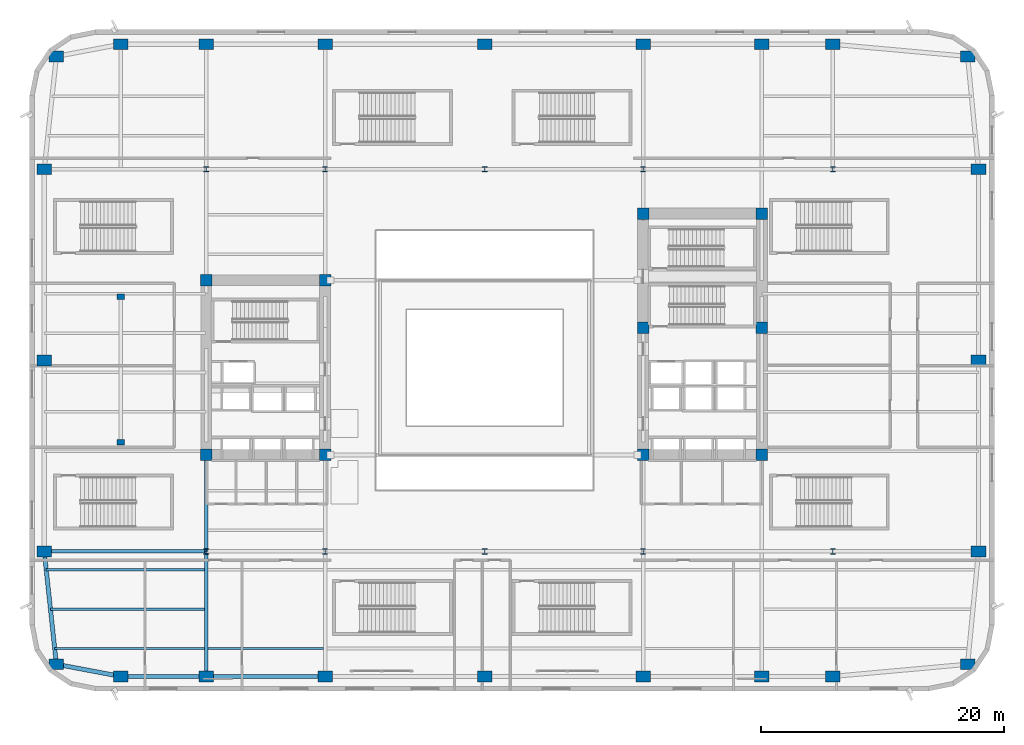
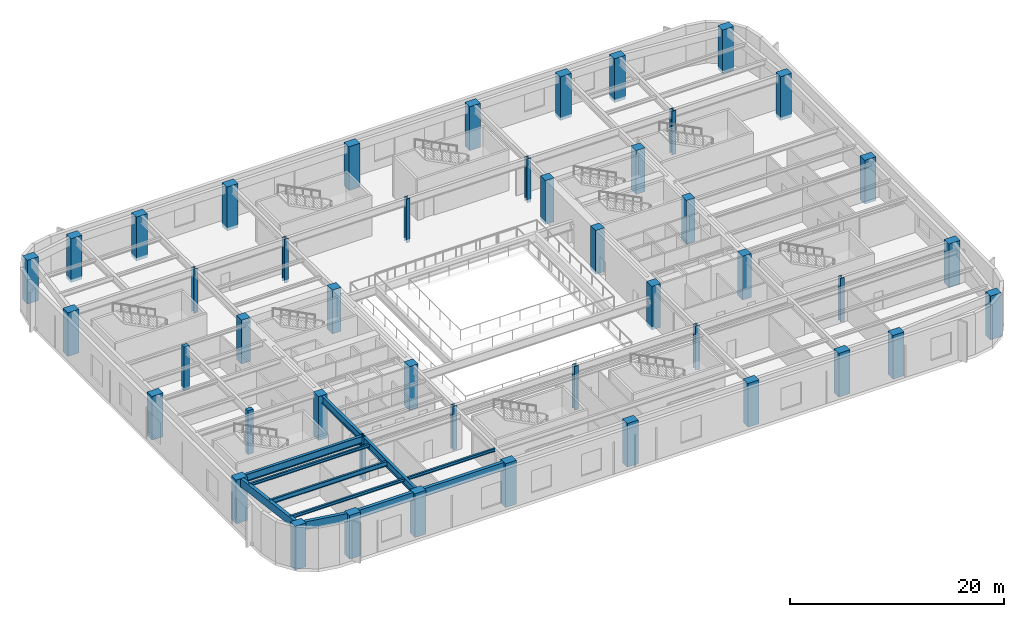
# One storey, part 1 of 22: 46 columns, 11 beams.
"""IFC4 building model written with IfcOpenShell, lengths in metres."""

from ifc_helpers import new_model, si_unit, direction, frame, origin, origin_2d, place, context, subcontext, project, spatial, rectangle, hollow_rectangle, i_section, extrude, material, material_profile, profile_set, type_object, element, save


model = new_model("IFC4")

# Units and contexts
model_context = context("Model", 3, precision=1e-05, world=origin(), true_north=direction((0.0, 1.0)))
body_context = subcontext(model_context, "Body", "Model", "MODEL_VIEW")
ifc_project = project(units=[si_unit("LENGTHUNIT", "METRE"), si_unit("AREAUNIT", "SQUARE_METRE"), si_unit("VOLUMEUNIT", "CUBIC_METRE"), si_unit("PLANEANGLEUNIT", "RADIAN"), si_unit("MASSUNIT", "GRAM", prefix="KILO")], contexts=[model_context])

# Site, building, storey
site_placement = place(None, origin())
site = spatial("IfcSite", under=ifc_project, at=site_placement, CompositionType="ELEMENT")
building_placement = place(site_placement, origin())
building = spatial("IfcBuilding", under=site, at=building_placement, Name="Kolvaren Arena Tower", CompositionType="ELEMENT")
storey_placement = place(building_placement, frame((0.0, 0.0, 13.0)))
storey = spatial("IfcBuildingStorey", under=building, at=storey_placement, Name="L02", CompositionType="ELEMENT", Elevation=13.0)

# Columns
ifc_material_1 = material(Name="Precast concrete C70/85", Category="concrete")
ifc_material_profile_1 = material_profile(ifc_material_1, rectangle(XDim=1.199951171875, YDim=0.89990234375, at=origin_2d()), Name="RC-1200x900")
ifc_profile_set_1 = profile_set([ifc_material_profile_1], Name="Precast concrete C70/85")
column_type_1 = type_object("IfcColumnType", Name="EXCOL-Z1", PredefinedType="COLUMN", material=ifc_profile_set_1)
for number, where, z_axis, x_axis, name in (
    (1, (2.199951171875, 2.199951171875, -0.35009765625), (0.0, 0.0, 1.0), (1.0, 0.0, 0.0), "Podium Perimeter Column PS-C0 (L02)"),
    (2, (7.5, 1.199951171875, -0.35009765625), (0.0, 0.0, 1.0), (1.0, 0.0, 0.0), "Podium Perimeter Column PS-01 (L02)"),
    (3, (14.550048828125, 1.199951171875, -0.35009765625), (0.0, 0.0, 1.0), (1.0, 0.0, 0.0), "Podium Perimeter Column PS-02 (L02)"),
    (4, (24.35009765625, 1.199951171875, -0.35009765625), (0.0, 0.0, 1.0), (1.0, 0.0, 0.0), "Podium Perimeter Column PS-03 (L02)"),
    (5, (37.5, 1.199951171875, -0.35009765625), (0.0, 0.0, 1.0), (1.0, 0.0, 0.0), "Podium Perimeter Column PS-04 (L02)"),
    (6, (50.550048828125, 1.199951171875, -0.35009765625), (0.0, 0.0, 1.0), (1.0, 0.0, 0.0), "Podium Perimeter Column PS-05 (L02)"),
    (7, (60.35009765625, 1.199951171875, -0.35009765625), (0.0, 0.0, 1.0), (1.0, 0.0, 0.0), "Podium Perimeter Column PS-06 (L02)"),
    (8, (66.199951171875, 1.199951171875, -0.35009765625), (0.0, 0.0, 1.0), (1.0, 0.0, 0.0), "Podium Perimeter Column PS-07 (L02)"),
    (9, (77.300048828125, 2.199951171875, -0.35009765625), (0.0, 0.0, 1.0), (1.0, 0.0, 0.0), "Podium Perimeter Column PE-C0 (L02)"),
    (10, (78.199951171875, 11.5, -0.35009765625), (0.0, 0.0, 1.0), (1.0, 0.0, 0.0), "Podium Perimeter Column PE-01 (L02)"),
    (11, (78.199951171875, 27.25, -0.35009765625), (0.0, 0.0, 1.0), (1.0, 0.0, 0.0), "Podium Perimeter Column PE-02 (L02)"),
    (12, (78.199951171875, 43.0, -0.35009765625), (0.0, 0.0, 1.0), (1.0, 0.0, 0.0), "Podium Perimeter Column PE-03 (L02)"),
    (13, (77.300048828125, 52.300048828125, -0.35009765625), (0.0, 0.0, 1.0), (1.0, 0.0, 0.0), "Podium Perimeter Column PN-C1 (L02)"),
    (14, (66.199951171875, 53.300048828125, -0.35009765625), (0.0, 0.0, 1.0), (1.0, 0.0, 0.0), "Podium Perimeter Column PN-07 (L02)"),
    (15, (60.35009765625, 53.300048828125, -0.35009765625), (0.0, 0.0, 1.0), (1.0, 0.0, 0.0), "Podium Perimeter Column PN-06 (L02)"),
    (16, (50.550048828125, 53.300048828125, -0.35009765625), (0.0, 0.0, 1.0), (1.0, 0.0, 0.0), "Podium Perimeter Column PN-05 (L02)"),
    (17, (37.5, 53.300048828125, -0.35009765625), (0.0, 0.0, 1.0), (1.0, 0.0, 0.0), "Podium Perimeter Column PN-04 (L02)"),
    (18, (24.35009765625, 53.300048828125, -0.35009765625), (0.0, 0.0, 1.0), (1.0, 0.0, 0.0), "Podium Perimeter Column PN-03 (L02)"),
    (19, (14.550048828125, 53.300048828125, -0.35009765625), (0.0, 0.0, 1.0), (1.0, 0.0, 0.0), "Podium Perimeter Column PN-02 (L02)"),
    (20, (7.5, 53.300048828125, -0.35009765625), (0.0, 0.0, 1.0), (1.0, 0.0, 0.0), "Podium Perimeter Column PN-01 (L02)"),
    (21, (2.199951171875, 52.300048828125, -0.35009765625), (0.0, 0.0, 1.0), (1.0, 0.0, 0.0), "Podium Perimeter Column PN-C0 (L02)"),
    (22, (1.199951171875, 43.0, -0.35009765625), (0.0, 0.0, 1.0), (1.0, 0.0, 0.0), "Podium Perimeter Column PW-03 (L02)"),
    (23, (1.199951171875, 27.25, -0.35009765625), (0.0, 0.0, 1.0), (1.0, 0.0, 0.0), "Podium Perimeter Column PW-02 (L02)"),
    (24, (1.199951171875, 11.5, -0.35009765625), (0.0, 0.0, 1.0), (1.0, 0.0, 0.0), "Podium Perimeter Column PW-01 (L02)"),
):
    element("IfcColumn", number, at=place(storey_placement, frame(where, z_axis=z_axis, x_axis=x_axis)), inside=storey, type_object=column_type_1, Name=name, PredefinedType="COLUMN", context=body_context, shape_type="SweptSolid", body=[
        extrude(rectangle(XDim=1.199951171875, YDim=0.89990234375, at=origin_2d()), origin(), (0.0, 0.0, 1.0), 5.0),
    ])
ifc_material_2 = material(Name="Concrete 60 MPa", Category="concrete")
ifc_material_profile_2 = material_profile(ifc_material_2, rectangle(XDim=0.949951171875, YDim=0.949951171875, at=origin_2d()), Name="RC-950x950")
ifc_profile_set_2 = profile_set([ifc_material_profile_2], Name="Concrete 60 MPa")
column_type_2 = type_object("IfcColumnType", Name="PCOL-B1", PredefinedType="COLUMN", material=ifc_profile_set_2)
for number, where, z_axis, x_axis, name in (
    (25, (14.550048828125, 19.449951171875, -0.35009765625), (0.0, 0.0, 1.0), (1.0, 0.0, 0.0), "Core Boundary Column WC-SW (L02)"),
    (26, (24.35009765625, 19.449951171875, -0.35009765625), (0.0, 0.0, 1.0), (1.0, 0.0, 0.0), "Core Boundary Column WC-SE (L02)"),
    (27, (14.550048828125, 33.85009765625, -0.35009765625), (0.0, 0.0, 1.0), (1.0, 0.0, 0.0), "Core Boundary Column WC-NW (L02)"),
    (28, (24.35009765625, 33.85009765625, -0.35009765625), (0.0, 0.0, 1.0), (1.0, 0.0, 0.0), "Core Boundary Column WC-NE (L02)"),
    (29, (50.550048828125, 19.449951171875, -0.35009765625), (0.0, 0.0, 1.0), (1.0, 0.0, 0.0), "Core Boundary Column EC-SW (L02)"),
    (30, (60.35009765625, 19.449951171875, -0.35009765625), (0.0, 0.0, 1.0), (1.0, 0.0, 0.0), "Core Boundary Column EC-SE (L02)"),
    (31, (50.550048828125, 29.949951171875, -0.35009765625), (0.0, 0.0, 1.0), (1.0, 0.0, 0.0), "Core Boundary Column EC-MW (L02)"),
    (32, (60.35009765625, 29.949951171875, -0.35009765625), (0.0, 0.0, 1.0), (1.0, 0.0, 0.0), "Core Boundary Column EC-ME (L02)"),
    (33, (50.550048828125, 39.35009765625, -0.35009765625), (0.0, 0.0, 1.0), (1.0, 0.0, 0.0), "Core Boundary Column EC-NW (L02)"),
    (34, (60.35009765625, 39.35009765625, -0.35009765625), (0.0, 0.0, 1.0), (1.0, 0.0, 0.0), "Core Boundary Column EC-NE (L02)"),
):
    element("IfcColumn", number, at=place(storey_placement, frame(where, z_axis=z_axis, x_axis=x_axis)), inside=storey, type_object=column_type_2, Name=name, PredefinedType="COLUMN", context=body_context, shape_type="SweptSolid", body=[
        extrude(rectangle(XDim=0.949951171875, YDim=0.949951171875, at=origin_2d()), origin(), (0.0, 0.0, 1.0), 5.0),
    ])
ifc_material_3 = material(Name="Precast concrete C50/60", Category="concrete")
ifc_material_profile_3 = material_profile(ifc_material_3, rectangle(XDim=0.60009765625, YDim=0.449951171875, at=origin_2d()), Name="RC-600x450")
ifc_profile_set_3 = profile_set([ifc_material_profile_3], Name="Precast concrete C50/60")
column_type_3 = type_object("IfcColumnType", Name="PIL-01", PredefinedType="PILASTER", material=ifc_profile_set_3)
for number, where, z_axis, x_axis, name in (
    (35, (7.5, 20.5, -0.35009765625), (0.0, 0.0, 1.0), (1.0, 0.0, 0.0), "Concourse Structural Pilaster 1 (L02)"),
    (36, (7.5, 32.5, -0.35009765625), (0.0, 0.0, 1.0), (1.0, 0.0, 0.0), "Concourse Structural Pilaster 2 (L02)"),
):
    element("IfcColumn", number, at=place(storey_placement, frame(where, z_axis=z_axis, x_axis=x_axis)), inside=storey, type_object=column_type_3, Name=name, PredefinedType="PILASTER", context=body_context, shape_type="SweptSolid", body=[
        extrude(rectangle(XDim=0.60009765625, YDim=0.449951171875, at=origin_2d()), origin(), (0.0, 0.0, 1.0), 5.0),
    ])
ifc_material_4 = material(Name="Steel ASTM A913 Grade 65", Category="steel")
ifc_material_profile_4 = material_profile(ifc_material_4, i_section(OverallWidth=0.424072265625, OverallDepth=0.47412109375, WebThickness=0.047607421875, FlangeThickness=0.076904296875, FilletRadius=0.02001953125, at=origin_2d()), Name="W360x634")
ifc_profile_set_4 = profile_set([ifc_material_profile_4], Name="Steel ASTM A913 Grade 65")
column_type_4 = type_object("IfcColumnType", Name="SCOL-Z1", PredefinedType="COLUMN", material=ifc_profile_set_4)
for number, where, z_axis, x_axis, name in (
    (37, (14.550048828125, 11.5, -0.35009765625), (0.0, 0.0, 1.0), (1.0, 0.0, 0.0), "Concourse Structural Column PB-S1 (L02)"),
    (38, (24.35009765625, 11.5, -0.35009765625), (0.0, 0.0, 1.0), (1.0, 0.0, 0.0), "Concourse Structural Column PB-S2 (L02)"),
    (39, (37.5, 11.5, -0.35009765625), (0.0, 0.0, 1.0), (1.0, 0.0, 0.0), "Concourse Structural Column PB-S3 (L02)"),
    (40, (50.550048828125, 11.5, -0.35009765625), (0.0, 0.0, 1.0), (1.0, 0.0, 0.0), "Concourse Structural Column PB-S4 (L02)"),
    (41, (66.199951171875, 11.5, -0.35009765625), (0.0, 0.0, 1.0), (1.0, 0.0, 0.0), "Concourse Structural Column PB-S5 (L02)"),
    (42, (14.550048828125, 43.0, -0.35009765625), (0.0, 0.0, 1.0), (1.0, 0.0, 0.0), "Concourse Structural Column PB-N1 (L02)"),
    (43, (24.35009765625, 43.0, -0.35009765625), (0.0, 0.0, 1.0), (1.0, 0.0, 0.0), "Concourse Structural Column PB-N2 (L02)"),
    (44, (37.5, 43.0, -0.35009765625), (0.0, 0.0, 1.0), (1.0, 0.0, 0.0), "Concourse Structural Column PB-N3 (L02)"),
    (45, (50.550048828125, 43.0, -0.35009765625), (0.0, 0.0, 1.0), (1.0, 0.0, 0.0), "Concourse Structural Column PB-N4 (L02)"),
    (46, (66.199951171875, 43.0, -0.35009765625), (0.0, 0.0, 1.0), (1.0, 0.0, 0.0), "Concourse Structural Column PB-N5 (L02)"),
):
    element("IfcColumn", number, at=place(storey_placement, frame(where, z_axis=z_axis, x_axis=x_axis)), inside=storey, type_object=column_type_4, Name=name, PredefinedType="COLUMN", context=body_context, shape_type="SweptSolid", body=[
        extrude(i_section(OverallWidth=0.424072265625, OverallDepth=0.47412109375, WebThickness=0.047607421875, FlangeThickness=0.076904296875, FilletRadius=0.02001953125, at=origin_2d()), origin(), (0.0, 0.0, 1.0), 5.0),
    ])

# Beams
ifc_material_5 = material(Name="Steel CSA G40.21 350W", Category="steel")
ifc_material_profile_5 = material_profile(ifc_material_5, i_section(OverallWidth=0.2119140625, OverallDepth=0.54296875, WebThickness=0.01318359375, FlangeThickness=0.0244140625, FilletRadius=0.013916015625, at=origin_2d()), Name="W530x150")
ifc_profile_set_5 = profile_set([ifc_material_profile_5], Name="Steel CSA G40.21 350W")
beam_type_1 = type_object("IfcBeamType", Name="BEAM-F1", PredefinedType="BEAM", material=ifc_profile_set_5)
beam_1_placement = place(storey_placement, frame((1.710693359375, 6.75, 4.37841796875), z_axis=(1.0, 0.0, 0.0), x_axis=(0.0, 1.0, 0.0)))
element("IfcBeam", 47, at=beam_1_placement, inside=storey, type_object=beam_type_1, Name="Composite Floor Beam (L02)", PredefinedType="BEAM", context=body_context, shape_type="SweptSolid", body=[
    extrude(i_section(OverallWidth=0.2119140625, OverallDepth=0.54296875, WebThickness=0.01318359375, FlangeThickness=0.0244140625, FilletRadius=0.013916015625, at=origin_2d()), origin(), (0.0, 0.0, 1.0), 12.693359375),
])
ifc_material_profile_6 = material_profile(ifc_material_5, i_section(OverallWidth=0.2919921875, OverallDepth=0.85498046875, WebThickness=0.02099609375, FlangeThickness=0.03564453125, FilletRadius=0.01806640625, at=origin_2d()), Name="W840x299")
ifc_profile_set_6 = profile_set([ifc_material_profile_6], Name="Steel CSA G40.21 350W")
beam_type_2 = type_object("IfcBeamType", Name="GIRD-P1", PredefinedType="BEAM", material=ifc_profile_set_6)
beam_2_placement = place(storey_placement, frame((1.199951171875, 11.5, 4.222412109375), z_axis=(1.0, 0.0, 0.0), x_axis=(0.0, 1.0, 0.0)))
element("IfcBeam", 48, at=beam_2_placement, inside=storey, type_object=beam_type_2, Name="Primary Floor Girder (L02)", PredefinedType="BEAM", context=body_context, shape_type="SweptSolid", body=[
    extrude(i_section(OverallWidth=0.2919921875, OverallDepth=0.85498046875, WebThickness=0.02099609375, FlangeThickness=0.03564453125, FilletRadius=0.01806640625, at=origin_2d()), origin(), (0.0, 0.0, 1.0), 13.35009765625),
])
beam_3_placement = place(storey_placement, frame((14.550048828125, 1.199951171875, 4.222412109375), z_axis=(0.0, 1.0, 0.0), x_axis=(-1.0, 0.0, 0.0)))
element("IfcBeam", 49, at=beam_3_placement, inside=storey, type_object=beam_type_2, Name="Primary Floor Girder (L02)", PredefinedType="BEAM", context=body_context, shape_type="SweptSolid", body=[
    extrude(i_section(OverallWidth=0.2919921875, OverallDepth=0.85498046875, WebThickness=0.02099609375, FlangeThickness=0.03564453125, FilletRadius=0.01806640625, at=origin_2d()), origin(), (0.0, 0.0, 1.0), 10.300048828125),
])
beam_4_placement = place(storey_placement, frame((14.550048828125, 11.5, 4.222412109375), z_axis=(0.0, 1.0, 0.0), x_axis=(-1.0, 0.0, 0.0)))
element("IfcBeam", 50, at=beam_4_placement, inside=storey, type_object=beam_type_2, Name="Primary Floor Girder (L02)", PredefinedType="BEAM", context=body_context, shape_type="SweptSolid", body=[
    extrude(i_section(OverallWidth=0.2919921875, OverallDepth=0.85498046875, WebThickness=0.02099609375, FlangeThickness=0.03564453125, FilletRadius=0.01806640625, at=origin_2d()), origin(), (0.0, 0.0, 1.0), 7.949951171875),
])
ifc_material_profile_7 = material_profile(ifc_material_5, i_section(OverallWidth=0.202880859375, OverallDepth=0.346923828125, WebThickness=0.0078125, FlangeThickness=0.013427734375, FilletRadius=0.010986328125, at=origin_2d()), Name="W360x64")
ifc_profile_set_7 = profile_set([ifc_material_profile_7], Name="Steel CSA G40.21 350W")
beam_type_3 = type_object("IfcBeamType", Name="JOIST-01", PredefinedType="JOIST", material=ifc_profile_set_7)
beam_5_placement = place(storey_placement, frame((2.060302734375, 3.5, 4.4765625), z_axis=(1.0, 0.0, 0.0), x_axis=(0.0, 1.0, 0.0)))
element("IfcBeam", 51, at=beam_5_placement, inside=storey, type_object=beam_type_3, Name="Composite Floor Joist (L02)", PredefinedType="JOIST", context=body_context, shape_type="SweptSolid", body=[
    extrude(i_section(OverallWidth=0.202880859375, OverallDepth=0.346923828125, WebThickness=0.0078125, FlangeThickness=0.013427734375, FilletRadius=0.010986328125, at=origin_2d()), origin(), (0.0, 0.0, 1.0), 12.34375),
])
beam_6_placement = place(storey_placement, frame((14.696044921875, 3.5, 4.4765625), z_axis=(1.0, 0.0, 0.0), x_axis=(0.0, 1.0, 0.0)))
element("IfcBeam", 52, at=beam_6_placement, inside=storey, type_object=beam_type_3, Name="Composite Floor Joist (L02)", PredefinedType="JOIST", context=body_context, shape_type="SweptSolid", body=[
    extrude(i_section(OverallWidth=0.202880859375, OverallDepth=0.346923828125, WebThickness=0.0078125, FlangeThickness=0.013427734375, FilletRadius=0.010986328125, at=origin_2d()), origin(), (0.0, 0.0, 1.0), 9.508056640625),
])
beam_7_placement = place(storey_placement, frame((1.361328125, 10.0, 4.4765625), z_axis=(1.0, 0.0, 0.0), x_axis=(0.0, 1.0, 0.0)))
element("IfcBeam", 53, at=beam_7_placement, inside=storey, type_object=beam_type_3, Name="Composite Floor Joist (L02)", PredefinedType="JOIST", context=body_context, shape_type="SweptSolid", body=[
    extrude(i_section(OverallWidth=0.202880859375, OverallDepth=0.346923828125, WebThickness=0.0078125, FlangeThickness=0.013427734375, FilletRadius=0.010986328125, at=origin_2d()), origin(), (0.0, 0.0, 1.0), 13.042724609375),
])
ifc_material_6 = material(Name="Steel CSA G40.21 350WT", Category="steel")
ifc_material_profile_8 = material_profile(ifc_material_6, hollow_rectangle(XDim=0.35009765625, YDim=0.89990234375, WallThickness=0.02001953125, at=origin_2d()), Name="HSS 900x350x20")
ifc_profile_set_8 = profile_set([ifc_material_profile_8], Name="Steel CSA G40.21 350WT")
beam_type_4 = type_object("IfcBeamType", Name="SPAND-01", PredefinedType="SPANDREL", material=ifc_profile_set_8)
beam_8_placement = place(storey_placement, frame((2.199951171875, 2.199951171875, 4.199951171875), z_axis=(0.982661964955, -0.185406209796, 0.0), x_axis=(0.185406209796, 0.982661964955, 0.0)))
element("IfcBeam", 54, at=beam_8_placement, inside=storey, type_object=beam_type_4, Name="Perimeter Spandrel Beam (L02)", PredefinedType="SPANDREL", context=body_context, shape_type="SweptSolid", body=[
    extrude(hollow_rectangle(XDim=0.35009765625, YDim=0.89990234375, WallThickness=0.02001953125, at=origin_2d()), origin(), (0.0, 0.0, 1.0), 5.3935546875),
])
beam_9_placement = place(storey_placement, frame((7.5, 1.199951171875, 4.199951171875), z_axis=(1.0, 0.0, 0.0), x_axis=(0.0, 1.0, 0.0)))
element("IfcBeam", 55, at=beam_9_placement, inside=storey, type_object=beam_type_4, Name="Perimeter Spandrel Beam (L02)", PredefinedType="SPANDREL", context=body_context, shape_type="SweptSolid", body=[
    extrude(hollow_rectangle(XDim=0.35009765625, YDim=0.89990234375, WallThickness=0.02001953125, at=origin_2d()), origin(), (0.0, 0.0, 1.0), 7.050048828125),
])
beam_10_placement = place(storey_placement, frame((14.550048828125, 1.199951171875, 4.199951171875), z_axis=(1.0, 0.0, 0.0), x_axis=(0.0, 1.0, 0.0)))
element("IfcBeam", 56, at=beam_10_placement, inside=storey, type_object=beam_type_4, Name="Perimeter Spandrel Beam (L02)", PredefinedType="SPANDREL", context=body_context, shape_type="SweptSolid", body=[
    extrude(hollow_rectangle(XDim=0.35009765625, YDim=0.89990234375, WallThickness=0.02001953125, at=origin_2d()), origin(), (0.0, 0.0, 1.0), 9.800048828125),
])
beam_11_placement = place(storey_placement, frame((1.199951171875, 11.5, 4.199951171875), z_axis=(0.106910051219, -0.994268696555, 0.0), x_axis=(0.994268696555, 0.106910051219, 0.0)))
element("IfcBeam", 57, at=beam_11_placement, inside=storey, type_object=beam_type_4, Name="Perimeter Spandrel Beam (L02)", PredefinedType="SPANDREL", context=body_context, shape_type="SweptSolid", body=[
    extrude(hollow_rectangle(XDim=0.35009765625, YDim=0.89990234375, WallThickness=0.02001953125, at=origin_2d()), origin(), (0.0, 0.0, 1.0), 9.353759765625),
])

save(model, "model.ifc")
